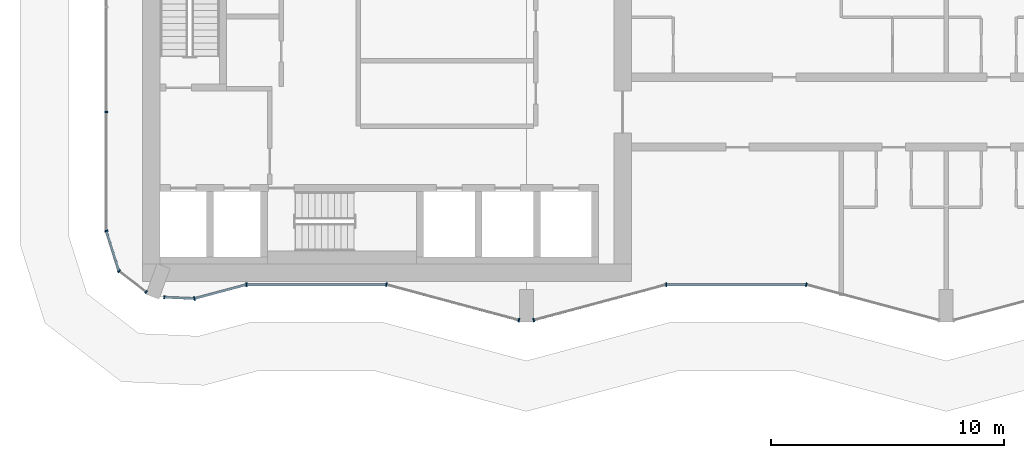
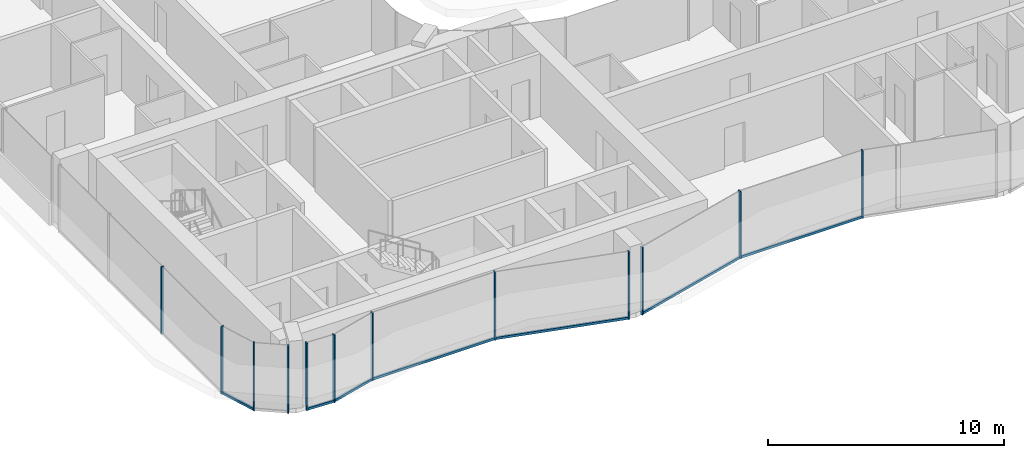
# One storey, part 2 of 24: 19 members, 10 elements without a shape of their own.
"""IFC4 building model written with IfcOpenShell, lengths in metres."""

from ifc_helpers import new_model, si_unit, direction, frame, origin, origin_2d, place, context, subcontext, project, spatial, rectangle, extrude, material, layer, layer_set, material_profile, profile_set, type_object, element, aggregate, save


model = new_model("IFC4")

# Units and contexts
model_context = context("Model", 3, precision=1e-05, world=origin(), true_north=direction((0.0, 1.0)))
body_context = subcontext(model_context, "Body", "Model", "MODEL_VIEW")
ifc_project = project(units=[si_unit("LENGTHUNIT", "METRE"), si_unit("AREAUNIT", "SQUARE_METRE"), si_unit("VOLUMEUNIT", "CUBIC_METRE"), si_unit("PLANEANGLEUNIT", "RADIAN"), si_unit("MASSUNIT", "GRAM", prefix="KILO")], contexts=[model_context])

# Site, building, storey
site_placement = place(None, origin())
site = spatial("IfcSite", under=ifc_project, at=site_placement, CompositionType="ELEMENT")
building_placement = place(site_placement, origin())
building = spatial("IfcBuilding", under=site, at=building_placement, Name="Plateau Cross Towers", CompositionType="ELEMENT")
storey_placement = place(building_placement, frame((0.0, 0.0, 30.300048828125)))
storey = spatial("IfcBuildingStorey", under=building, at=storey_placement, Name="L06", CompositionType="ELEMENT", Elevation=30.300048828125)

# Curtain wall, member
ifc_material_1 = material(Name="Dark low-iron glass", Category="glass")
ifc_layer_1 = layer(ifc_material_1, 0.239990234375)
ifc_layer_set_1 = layer_set([ifc_layer_1], Name="Dark low-iron glass")
curtain_wall_type_1 = type_object("IfcCurtainWallType", Name="Curtain wall flush unitised CW-B", PredefinedType="NOTDEFINED", material=ifc_layer_set_1)
curtain_wall_1_placement = place(storey_placement, origin())
curtain_wall_1 = element("IfcCurtainWall", 1, at=curtain_wall_1_placement, inside=storey, type_object=curtain_wall_type_1, Name="ENV/A/L06/A0_177", PredefinedType="NOTDEFINED")
ifc_material_2 = material(Name="Black anodised aluminium", Category="aluminium")
ifc_material_profile_1 = material_profile(ifc_material_2, rectangle(XDim=0.06005859375, YDim=0.139892578125, at=origin_2d()), Name="MULLION 60x140")
ifc_profile_set_1 = profile_set([ifc_material_profile_1], Name="Black anodised aluminium")
member_type_1 = type_object("IfcMemberType", Name="Mullion 60x140 flush unitised", PredefinedType="MULLION", material=ifc_profile_set_1)
member_1_placement = place(storey_placement, frame((0.0, 9.0, -0.25), z_axis=(0.0, 0.0, 1.0), x_axis=(0.0, -1.0, 0.0)))
member_1 = element("IfcMember", 2, at=member_1_placement, type_object=member_type_1, Name="CW-B mullion 3", PredefinedType="MULLION", context=body_context, shape_type="SweptSolid", body=[
    extrude(rectangle(XDim=0.06005859375, YDim=0.139892578125, at=origin_2d()), origin(), (0.0, 0.0, 1.0), 3.5),
])
aggregate(curtain_wall_1, [member_1])

curtain_wall_2_placement = place(storey_placement, origin())
curtain_wall_2 = element("IfcCurtainWall", 3, at=curtain_wall_2_placement, inside=storey, type_object=curtain_wall_type_1, Name="ENV/A/L06/A0_39", PredefinedType="NOTDEFINED")
member_2_placement = place(storey_placement, frame((0.0, 3.9091796875, -0.25), z_axis=(0.0, 0.0, 1.0), x_axis=(0.300686174994, -0.95372313811, 0.0)))
member_2 = element("IfcMember", 4, at=member_2_placement, type_object=member_type_1, Name="CW-B mullion 1", PredefinedType="MULLION", context=body_context, shape_type="SweptSolid", body=[
    extrude(rectangle(XDim=0.06005859375, YDim=0.139892578125, at=origin_2d()), origin(), (0.0, 0.0, 1.0), 3.5),
])

# Curtain wall, members
curtain_wall_3_placement = place(storey_placement, origin())
curtain_wall_3 = element("IfcCurtainWall", 5, at=curtain_wall_3_placement, inside=storey, type_object=curtain_wall_type_1, Name="ENV/A/L06/A5_22", PredefinedType="NOTDEFINED")
member_3_placement = place(storey_placement, frame((0.54248046875, 2.1884765625, -0.25), z_axis=(0.0, 0.0, 1.0), x_axis=(0.793315514529, -0.608810721331, 0.0)))
member_3 = element("IfcMember", 6, at=member_3_placement, type_object=member_type_1, Name="CW-B mullion 1", PredefinedType="MULLION", context=body_context, shape_type="SweptSolid", body=[
    extrude(rectangle(XDim=0.06005859375, YDim=0.139892578125, at=origin_2d()), origin(), (0.0, 0.0, 1.0), 3.5),
])
member_4_placement = place(storey_placement, frame((1.709716796875, 1.292724609375, -0.25), z_axis=(0.0, 0.0, 1.0), x_axis=(0.793315514529, -0.608810721331, 0.0)))
member_4 = element("IfcMember", 7, at=member_4_placement, type_object=member_type_1, Name="CW-B mullion 2", PredefinedType="MULLION", context=body_context, shape_type="SweptSolid", body=[
    extrude(rectangle(XDim=0.06005859375, YDim=0.139892578125, at=origin_2d()), origin(), (0.0, 0.0, 1.0), 3.5),
])
aggregate(curtain_wall_3, [member_3, member_4])

# Curtain wall, member
curtain_wall_4_placement = place(storey_placement, origin())
curtain_wall_4 = element("IfcCurtainWall", 8, at=curtain_wall_4_placement, inside=storey, type_object=curtain_wall_type_1, Name="ENV/A/L06/A25_11", PredefinedType="NOTDEFINED")
member_5_placement = place(storey_placement, frame((2.483642578125, 1.06787109375, -0.25), z_axis=(0.0, 0.0, 1.0), x_axis=(0.999043701491, -0.043722791671, 0.0)))
member_5 = element("IfcMember", 9, at=member_5_placement, type_object=member_type_1, Name="CW-B mullion 1", PredefinedType="MULLION", context=body_context, shape_type="SweptSolid", body=[
    extrude(rectangle(XDim=0.06005859375, YDim=0.139892578125, at=origin_2d()), origin(), (0.0, 0.0, 1.0), 3.5),
])

ifc_layer_2 = layer(ifc_material_1, 0.260009765625)
ifc_layer_set_2 = layer_set([ifc_layer_2], Name="Dark low-iron glass")
curtain_wall_type_2 = type_object("IfcCurtainWallType", Name="Curtain wall fluted unitised CW-A", PredefinedType="NOTDEFINED", material=ifc_layer_set_2)
curtain_wall_5_placement = place(storey_placement, origin())
curtain_wall_5 = element("IfcCurtainWall", 10, at=curtain_wall_5_placement, inside=storey, type_object=curtain_wall_type_2, Name="ENV/A/L06/A38_10", PredefinedType="NOTDEFINED")
ifc_material_profile_2 = material_profile(ifc_material_2, rectangle(XDim=0.06005859375, YDim=0.159912109375, at=origin_2d()), Name="MULLION 60x160")
ifc_profile_set_2 = profile_set([ifc_material_profile_2], Name="Black anodised aluminium")
member_type_2 = type_object("IfcMemberType", Name="Mullion 60x160 fluted unitised", PredefinedType="MULLION", material=ifc_profile_set_2)
member_6_placement = place(storey_placement, frame((3.776123046875, 1.01123046875, -0.25), z_axis=(0.0, 0.0, 1.0), x_axis=(0.965957962328, 0.258699081978, 0.0)))
member_6 = element("IfcMember", 11, at=member_6_placement, type_object=member_type_2, Name="CW-A mullion 1", PredefinedType="MULLION", context=body_context, shape_type="SweptSolid", body=[
    extrude(rectangle(XDim=0.06005859375, YDim=0.159912109375, at=origin_2d()), origin(), (0.0, 0.0, 1.0), 3.5),
])

curtain_wall_6_placement = place(storey_placement, origin())
curtain_wall_6 = element("IfcCurtainWall", 12, at=curtain_wall_6_placement, inside=storey, type_object=curtain_wall_type_2, Name="ENV/A/L06/A60_16", PredefinedType="NOTDEFINED")
member_7_placement = place(storey_placement, frame((6.0, 1.60693359375, -0.25), z_axis=(0.0, 0.0, 1.0), x_axis=(1.0, 0.0, 0.0)))
member_7 = element("IfcMember", 13, at=member_7_placement, type_object=member_type_2, Name="CW-A mullion 1", PredefinedType="MULLION", context=body_context, shape_type="SweptSolid", body=[
    extrude(rectangle(XDim=0.06005859375, YDim=0.159912109375, at=origin_2d()), origin(), (0.0, 0.0, 1.0), 3.5),
])

# Curtain wall, members
curtain_wall_7_placement = place(storey_placement, origin())
curtain_wall_7 = element("IfcCurtainWall", 14, at=curtain_wall_7_placement, inside=storey, type_object=curtain_wall_type_2, Name="ENV/A/L06/A120_16", PredefinedType="NOTDEFINED")
member_8_placement = place(storey_placement, frame((12.0, 1.60693359375, -0.25), z_axis=(0.0, 0.0, 1.0), x_axis=(0.965957983404, -0.258699003279, 0.0)))
member_8 = element("IfcMember", 15, at=member_8_placement, type_object=member_type_2, Name="CW-A mullion 1", PredefinedType="MULLION", context=body_context, shape_type="SweptSolid", body=[
    extrude(rectangle(XDim=0.06005859375, YDim=0.159912109375, at=origin_2d()), origin(), (0.0, 0.0, 1.0), 3.5),
])
member_9_placement = place(storey_placement, frame((17.68212890625, 0.085205078125, -0.25), z_axis=(0.0, 0.0, 1.0), x_axis=(0.965957983404, -0.258699003279, 0.0)))
member_9 = element("IfcMember", 16, at=member_9_placement, type_object=member_type_2, Name="CW-A mullion 2", PredefinedType="MULLION", context=body_context, shape_type="SweptSolid", body=[
    extrude(rectangle(XDim=0.06005859375, YDim=0.159912109375, at=origin_2d()), origin(), (0.0, 0.0, 1.0), 3.5),
])

# Curtain wall, member
curtain_wall_8_placement = place(storey_placement, origin())
curtain_wall_8 = element("IfcCurtainWall", 17, at=curtain_wall_8_placement, inside=storey, type_object=curtain_wall_type_2, Name="ENV/A/L06/A183_1", PredefinedType="NOTDEFINED")
member_10_placement = place(storey_placement, frame((18.31787109375, 0.085205078125, -0.25), z_axis=(0.0, 0.0, 1.0), x_axis=(0.965957983404, 0.258699003279, 0.0)))
member_10 = element("IfcMember", 18, at=member_10_placement, type_object=member_type_2, Name="CW-A mullion 1", PredefinedType="MULLION", context=body_context, shape_type="SweptSolid", body=[
    extrude(rectangle(XDim=0.06005859375, YDim=0.159912109375, at=origin_2d()), origin(), (0.0, 0.0, 1.0), 3.5),
])

curtain_wall_9_placement = place(storey_placement, origin())
curtain_wall_9 = element("IfcCurtainWall", 19, at=curtain_wall_9_placement, inside=storey, type_object=curtain_wall_type_2, Name="ENV/A/L06/A240_16", PredefinedType="NOTDEFINED")
member_11_placement = place(storey_placement, frame((24.0, 1.60693359375, -0.25), z_axis=(0.0, 0.0, 1.0), x_axis=(1.0, 0.0, 0.0)))
member_11 = element("IfcMember", 20, at=member_11_placement, type_object=member_type_2, Name="CW-A mullion 1", PredefinedType="MULLION", context=body_context, shape_type="SweptSolid", body=[
    extrude(rectangle(XDim=0.06005859375, YDim=0.159912109375, at=origin_2d()), origin(), (0.0, 0.0, 1.0), 3.5),
])

curtain_wall_10_placement = place(storey_placement, origin())
curtain_wall_10 = element("IfcCurtainWall", 21, at=curtain_wall_10_placement, inside=storey, type_object=curtain_wall_type_2, Name="ENV/A/L06/A300_16", PredefinedType="NOTDEFINED")
member_12_placement = place(storey_placement, frame((30.0, 1.60693359375, -0.25), z_axis=(0.0, 0.0, 1.0), x_axis=(0.965957983404, -0.258699003279, 0.0)))
member_12 = element("IfcMember", 22, at=member_12_placement, type_object=member_type_2, Name="CW-A mullion 1", PredefinedType="MULLION", context=body_context, shape_type="SweptSolid", body=[
    extrude(rectangle(XDim=0.06005859375, YDim=0.159912109375, at=origin_2d()), origin(), (0.0, 0.0, 1.0), 3.5),
])
aggregate(curtain_wall_10, [member_12])

# Member
ifc_material_profile_3 = material_profile(ifc_material_2, rectangle(XDim=0.10009765625, YDim=0.1201171875, at=origin_2d()), Name="TRANSOM 100x120")
ifc_profile_set_3 = profile_set([ifc_material_profile_3], Name="Black anodised aluminium")
member_type_3 = type_object("IfcMemberType", Name="Transom 100x120 flush unitised", PredefinedType="USERDEFINED", material=ifc_profile_set_3)
member_13_placement = place(storey_placement, frame((0.0, 3.9091796875, -0.18994140625), z_axis=(0.30067799945, -0.953725715626, 0.0), x_axis=(0.953725715626, 0.30067799945, 0.0)))
member_13 = element("IfcMember", 23, at=member_13_placement, type_object=member_type_3, Name="CW-B transom", ObjectType="TRANSOM", PredefinedType="USERDEFINED", context=body_context, shape_type="SweptSolid", body=[
    extrude(rectangle(XDim=0.10009765625, YDim=0.1201171875, at=origin_2d()), origin(), (0.0, 0.0, 1.0), 1.80419921875),
])

aggregate(curtain_wall_2, [member_2, member_13])

member_14_placement = place(storey_placement, frame((2.483642578125, 1.06787109375, -0.18994140625), z_axis=(0.999041144614, -0.043781175963, 0.0), x_axis=(0.043781175963, 0.999041144614, 0.0)))
member_14 = element("IfcMember", 24, at=member_14_placement, type_object=member_type_3, Name="CW-B transom", ObjectType="TRANSOM", PredefinedType="USERDEFINED", context=body_context, shape_type="SweptSolid", body=[
    extrude(rectangle(XDim=0.10009765625, YDim=0.1201171875, at=origin_2d()), origin(), (0.0, 0.0, 1.0), 1.293701171875),
])

aggregate(curtain_wall_4, [member_5, member_14])

ifc_material_profile_4 = material_profile(ifc_material_2, rectangle(XDim=0.10009765625, YDim=0.1201171875, at=origin_2d()), Name="TRANSOM 100x120")
ifc_profile_set_4 = profile_set([ifc_material_profile_4], Name="Black anodised aluminium")
member_type_4 = type_object("IfcMemberType", Name="Transom 100x120 fluted unitised", PredefinedType="USERDEFINED", material=ifc_profile_set_4)
member_15_placement = place(storey_placement, frame((3.776123046875, 1.01123046875, -0.18994140625), z_axis=(0.965945685136, 0.258744919501, 0.0), x_axis=(-0.258744919501, 0.965945685136, 0.0)))
member_15 = element("IfcMember", 25, at=member_15_placement, type_object=member_type_4, Name="CW-A transom", ObjectType="TRANSOM", PredefinedType="USERDEFINED", context=body_context, shape_type="SweptSolid", body=[
    extrude(rectangle(XDim=0.10009765625, YDim=0.1201171875, at=origin_2d()), origin(), (0.0, 0.0, 1.0), 2.30224609375),
])

aggregate(curtain_wall_5, [member_6, member_15])

member_16_placement = place(storey_placement, frame((6.0, 1.60693359375, -0.18994140625), z_axis=(1.0, 0.0, 0.0), x_axis=(0.0, 1.0, 0.0)))
member_16 = element("IfcMember", 26, at=member_16_placement, type_object=member_type_4, Name="CW-A transom", ObjectType="TRANSOM", PredefinedType="USERDEFINED", context=body_context, shape_type="SweptSolid", body=[
    extrude(rectangle(XDim=0.10009765625, YDim=0.1201171875, at=origin_2d()), origin(), (0.0, 0.0, 1.0), 6.0),
])

aggregate(curtain_wall_6, [member_7, member_16])

member_17_placement = place(storey_placement, frame((12.0, 1.60693359375, -0.18994140625), z_axis=(0.965959534794, -0.258693210465, 0.0), x_axis=(0.258693210465, 0.965959534794, 0.0)))
member_17 = element("IfcMember", 27, at=member_17_placement, type_object=member_type_4, Name="CW-A transom", ObjectType="TRANSOM", PredefinedType="USERDEFINED", context=body_context, shape_type="SweptSolid", body=[
    extrude(rectangle(XDim=0.10009765625, YDim=0.1201171875, at=origin_2d()), origin(), (0.0, 0.0, 1.0), 5.88232421875),
])

aggregate(curtain_wall_7, [member_8, member_9, member_17])

member_18_placement = place(storey_placement, frame((18.31787109375, 0.085205078125, -0.18994140625), z_axis=(0.965959534794, 0.258693210465, 0.0), x_axis=(-0.258693210465, 0.965959534794, 0.0)))
member_18 = element("IfcMember", 28, at=member_18_placement, type_object=member_type_4, Name="CW-A transom", ObjectType="TRANSOM", PredefinedType="USERDEFINED", context=body_context, shape_type="SweptSolid", body=[
    extrude(rectangle(XDim=0.10009765625, YDim=0.1201171875, at=origin_2d()), origin(), (0.0, 0.0, 1.0), 5.88232421875),
])

aggregate(curtain_wall_8, [member_10, member_18])

member_19_placement = place(storey_placement, frame((24.0, 1.60693359375, -0.18994140625), z_axis=(1.0, 0.0, 0.0), x_axis=(0.0, 1.0, 0.0)))
member_19 = element("IfcMember", 29, at=member_19_placement, type_object=member_type_4, Name="CW-A transom", ObjectType="TRANSOM", PredefinedType="USERDEFINED", context=body_context, shape_type="SweptSolid", body=[
    extrude(rectangle(XDim=0.10009765625, YDim=0.1201171875, at=origin_2d()), origin(), (0.0, 0.0, 1.0), 6.0),
])

aggregate(curtain_wall_9, [member_11, member_19])

save(model, "model.ifc")
